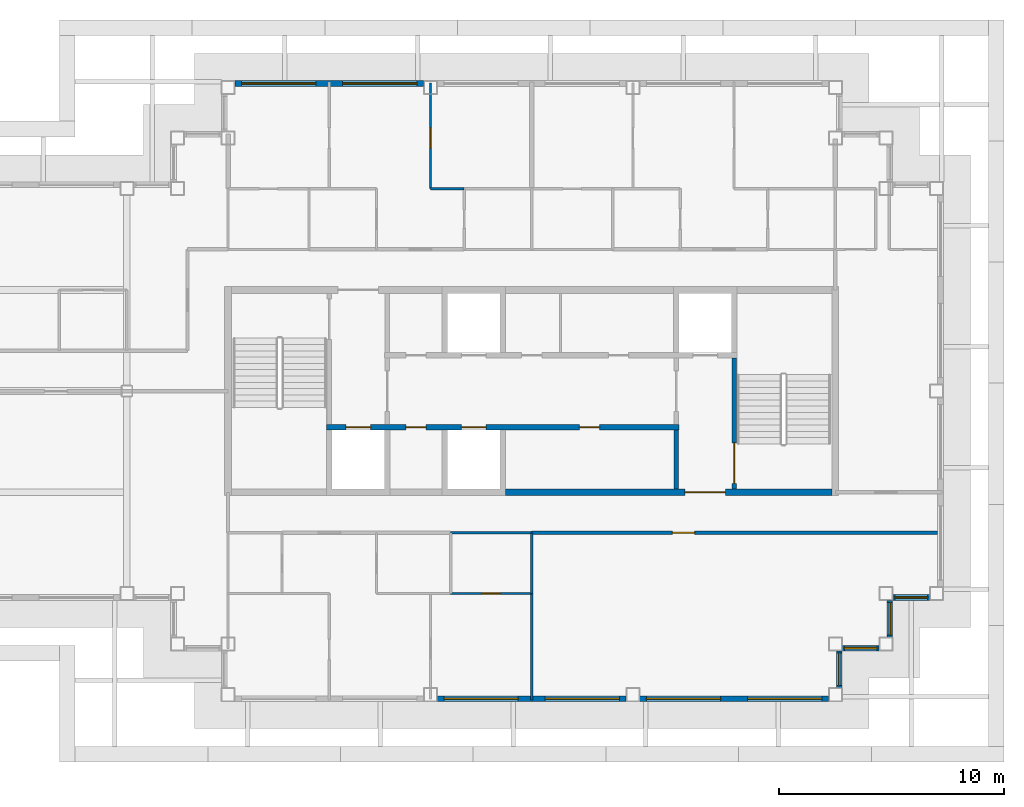
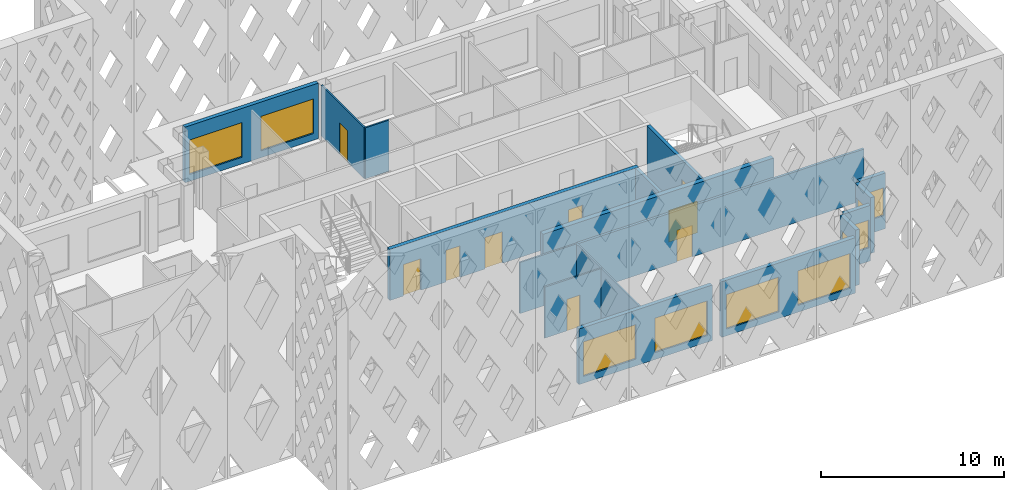
# One storey, part 4 of 15: 18 walls, 10 windows, 9 doors, 19 openings.
"""IFC4 building model written with IfcOpenShell, lengths in metres."""

from ifc_helpers import new_model, si_unit, direction, frame, frame_2d, origin, place, context, subcontext, project, spatial, rectangle, extrude, material, layer, layer_set, type_object, element, fill, save


model = new_model("IFC4")

# Units and contexts
model_context = context("Model", 3, precision=1e-05, world=origin(), true_north=direction((0.0, 1.0)))
body_context = subcontext(model_context, "Body", "Model", "MODEL_VIEW")
ifc_project = project(units=[si_unit("LENGTHUNIT", "METRE"), si_unit("AREAUNIT", "SQUARE_METRE"), si_unit("VOLUMEUNIT", "CUBIC_METRE"), si_unit("PLANEANGLEUNIT", "RADIAN"), si_unit("MASSUNIT", "GRAM", prefix="KILO")], contexts=[model_context])

# Site, building, storey
site_placement = place(None, origin())
site = spatial("IfcSite", under=ifc_project, at=site_placement, CompositionType="ELEMENT")
building_placement = place(site_placement, origin())
building = spatial("IfcBuilding", under=site, at=building_placement, Name="Caravel Reach Hotel and Residences", CompositionType="ELEMENT")
storey_placement = place(building_placement, frame((0.0, 0.0, 237.89990234375)))
storey = spatial("IfcBuildingStorey", under=building, at=storey_placement, Name="L60", CompositionType="ELEMENT", Elevation=237.89990234375)

# Wall, opening, door
ifc_material_1 = material(Name="Gypsum board on steel stud", Category="steel")
ifc_layer_1 = layer(ifc_material_1, 0.10009765625)
ifc_layer_set_1 = layer_set([ifc_layer_1], Name="Bathroom pod wall 100 mm")
wall_type_1 = type_object("IfcWallType", Name="Bathroom pod wall 100 mm", PredefinedType="PARTITIONING", material=ifc_layer_set_1)
wall_1_placement = place(storey_placement, frame((27.89990234375, 18.0, 0.0), z_axis=(0.0, 0.0, 1.0), x_axis=(1.0, 0.0, 0.0)))
wall_1 = element("IfcWall", 1, at=wall_1_placement, inside=storey, type_object=wall_type_1, Name="L60 wall w052", PredefinedType="PARTITIONING", context=body_context, shape_type="SweptSolid", body=[
    extrude(rectangle(XDim=3.60009765625, YDim=0.10009765625, at=frame_2d((1.800048828125, 0.0))), origin(), (0.0, 0.0, 1.0), 3.400146484375),
])
opening_1_placement = place(wall_1_placement, frame((1.39990234375, 0.0, 0.0)))
opening_1 = element("IfcOpeningElement", 2, at=opening_1_placement, cuts=wall_1, Name="Opening D60-035", PredefinedType="OPENING", context=body_context, shape_type="SweptSolid", body=[
    extrude(rectangle(XDim=0.800048828125, YDim=2.10009765625, at=frame_2d((0.39990234375, 1.050048828125))), frame((0.0, 0.06005859375, 0.0), z_axis=(0.0, -1.0, 0.0), x_axis=(1.0, 0.0, 0.0)), (0.0, 0.0, 1.0), 0.1201171875),
])
ifc_material_2 = material(Name="Timber and steel door leaf", Category="steel")
door_type_1 = type_object("IfcDoorType", Name="Bathroom door 800 x 2100", OperationType="SINGLE_SWING_LEFT", PredefinedType="DOOR", material=ifc_material_2)
door_1_placement = place(opening_1_placement, origin())
door_1 = element("IfcDoor", 3, at=door_1_placement, inside=storey, type_object=door_type_1, Name="door D60-035", OperationType="SINGLE_SWING_RIGHT", OverallHeight=2.10009765625, OverallWidth=0.800048828125, PredefinedType="DOOR", context=body_context, shape_type="SweptSolid", body=[
    extrude(rectangle(XDim=0.800048828125, YDim=2.10009765625, at=frame_2d((0.39990234375, 1.050048828125))), frame((0.0, 0.02490234375, 0.0), z_axis=(0.0, -1.0, 0.0), x_axis=(1.0, 0.0, 0.0)), (0.0, 0.0, 1.0), 0.050048828125),
])
fill(opening_1, door_1)

# Walls
wall_2_placement = place(storey_placement, frame((27.89990234375, 20.699951171875, 0.0), z_axis=(0.0, 0.0, 1.0), x_axis=(1.0, 0.0, 0.0)))
element("IfcWall", 4, at=wall_2_placement, inside=storey, type_object=wall_type_1, Name="L60 wall w054", PredefinedType="PARTITIONING", context=body_context, shape_type="SweptSolid", body=[
    extrude(rectangle(XDim=3.60009765625, YDim=0.10009765625, at=frame_2d((1.800048828125, 0.0))), origin(), (0.0, 0.0, 1.0), 3.400146484375),
])
wall_3_placement = place(storey_placement, frame((31.5, 18.0, 0.0), z_axis=(0.0, 0.0, 1.0), x_axis=(0.0, 1.0, 0.0)))
element("IfcWall", 5, at=wall_3_placement, inside=storey, type_object=wall_type_1, Name="L60 wall w073", PredefinedType="PARTITIONING", context=body_context, shape_type="SweptSolid", body=[
    extrude(rectangle(XDim=2.699951171875, YDim=0.10009765625, at=frame_2d((1.35009765625, 0.0))), origin(), (0.0, 0.0, 1.0), 3.400146484375),
])
ifc_material_3 = material(Name="Autoclaved aerated block wall")
ifc_layer_2 = layer(ifc_material_3, 0.199951171875)
ifc_layer_set_2 = layer_set([ifc_layer_2], Name="Compartment wall 200 mm EI 120")
wall_type_2 = type_object("IfcWallType", Name="Compartment wall 200 mm EI 120", PredefinedType="PARTITIONING", material=ifc_layer_set_2)
wall_4_placement = place(storey_placement, frame((37.928466796875, 22.64990234375, 0.0), z_axis=(0.0, 0.0, 1.0), x_axis=(0.0, 1.0, 0.0)))
element("IfcWall", 6, at=wall_4_placement, inside=storey, type_object=wall_type_2, Name="L60 store partition", PredefinedType="PARTITIONING", context=body_context, shape_type="SweptSolid", body=[
    extrude(rectangle(XDim=2.625, YDim=0.199951171875, at=frame_2d((1.3125, 0.0))), origin(), (0.0, 0.0, 1.0), 3.400146484375),
])

# Wall, opening, door
ifc_material_4 = material(Name="Concrete C60", Category="concrete")
ifc_layer_3 = layer(ifc_material_4, 0.300048828125)
ifc_layer_set_3 = layer_set([ifc_layer_3], Name="Core wall 300 mm EI 120")
wall_type_3 = type_object("IfcWallType", Name="Core wall 300 mm EI 120", PredefinedType="SHEAR", material=ifc_layer_set_3)
wall_5_placement = place(storey_placement, frame((30.33935546875, 22.5, 0.0), z_axis=(0.0, 0.0, 1.0), x_axis=(1.0, 0.0, 0.0)))
wall_5 = element("IfcWall", 7, at=wall_5_placement, inside=storey, type_object=wall_type_3, Name="L60 core wall S3", PredefinedType="SHEAR", context=body_context, shape_type="SweptSolid", body=[
    extrude(rectangle(XDim=14.5107421875, YDim=0.300048828125, at=frame_2d((7.25537109375, 0.0))), origin(), (0.0, 0.0, 1.0), 3.400146484375),
])
opening_2_placement = place(wall_5_placement, frame((7.97509765625, 0.0, 0.0)))
opening_2 = element("IfcOpeningElement", 8, at=opening_2_placement, cuts=wall_5, Name="Opening D60-015", PredefinedType="OPENING", context=body_context, shape_type="SweptSolid", body=[
    extrude(rectangle(XDim=1.800048828125, YDim=2.10009765625, at=frame_2d((0.89990234375, 1.050048828125))), frame((0.0, 0.159912109375, 0.0), z_axis=(0.0, -1.0, 0.0), x_axis=(1.0, 0.0, 0.0)), (0.0, 0.0, 1.0), 0.320068359375),
])
ifc_material_5 = material(Name="Steel fire door leaf", Category="steel")
door_type_2 = type_object("IfcDoorType", Name="Fire lobby door pair 1800 x 2100 EI 90", OperationType="DOUBLE_DOOR_SINGLE_SWING", PredefinedType="DOOR", material=ifc_material_5)
door_2_placement = place(opening_2_placement, origin())
door_2 = element("IfcDoor", 9, at=door_2_placement, inside=storey, type_object=door_type_2, Name="lobby S door pair to corridor", OperationType="DOUBLE_DOOR_SINGLE_SWING", OverallHeight=2.10009765625, OverallWidth=1.800048828125, PredefinedType="DOOR", context=body_context, shape_type="SweptSolid", body=[
    extrude(rectangle(XDim=1.800048828125, YDim=2.10009765625, at=frame_2d((0.89990234375, 1.050048828125))), frame((0.0, 0.02490234375, 0.0), z_axis=(0.0, -1.0, 0.0), x_axis=(1.0, 0.0, 0.0)), (0.0, 0.0, 1.0), 0.050048828125),
])
fill(opening_2, door_2)

ifc_material_6 = material(Name="Gypsum board on steel stud, fire-rated", Category="steel")
ifc_layer_4 = layer(ifc_material_6, 0.14990234375)
ifc_layer_set_4 = layer_set([ifc_layer_4], Name="Corridor wall 150 mm EI 60")
wall_type_4 = type_object("IfcWallType", Name="Corridor wall 150 mm EI 60", PredefinedType="PARTITIONING", material=ifc_layer_set_4)
wall_6_placement = place(storey_placement, frame((31.5, 20.699951171875, 0.0), z_axis=(0.0, 0.0, 1.0), x_axis=(1.0, 0.0, 0.0)))
wall_6 = element("IfcWall", 10, at=wall_6_placement, inside=storey, type_object=wall_type_4, Name="L60 wall w003", PredefinedType="PARTITIONING", context=body_context, shape_type="SweptSolid", body=[
    extrude(rectangle(XDim=18.050048828125, YDim=0.14990234375, at=frame_2d((9.02490234375, 0.0))), origin(), (0.0, 0.0, 1.0), 3.400146484375),
])
opening_3_placement = place(wall_6_placement, frame((6.25, 0.0, 0.0)))
opening_3 = element("IfcOpeningElement", 11, at=opening_3_placement, cuts=wall_6, Name="Opening D60-038", PredefinedType="OPENING", context=body_context, shape_type="SweptSolid", body=[
    extrude(rectangle(XDim=1.0, YDim=2.10009765625, at=frame_2d((0.5, 1.050048828125))), frame((0.0, 0.0849609375, 0.0), z_axis=(0.0, -1.0, 0.0), x_axis=(1.0, 0.0, 0.0)), (0.0, 0.0, 1.0), 0.169921875),
])
ifc_material_7 = material(Name="Steel fire door leaf", Category="steel")
door_type_3 = type_object("IfcDoorType", Name="Fire door 1000 x 2100 EI 60", OperationType="SINGLE_SWING_LEFT", PredefinedType="DOOR", material=ifc_material_7)
door_3_placement = place(opening_3_placement, origin())
door_3 = element("IfcDoor", 12, at=door_3_placement, inside=storey, type_object=door_type_3, Name="door D60-038", OperationType="SINGLE_SWING_LEFT", OverallHeight=2.10009765625, OverallWidth=1.0, PredefinedType="DOOR", context=body_context, shape_type="SweptSolid", body=[
    extrude(rectangle(XDim=1.0, YDim=2.10009765625, at=frame_2d((0.5, 1.050048828125))), frame((0.0, 0.02490234375, 0.0), z_axis=(0.0, -1.0, 0.0), x_axis=(1.0, 0.0, 0.0)), (0.0, 0.0, 1.0), 0.050048828125),
])
fill(opening_3, door_3)

# Wall, openings, windows
ifc_material_8 = material(Name="Insulated rainscreen wall, aluminium cladding", Category="aluminium")
ifc_layer_5 = layer(ifc_material_8, 0.25)
ifc_layer_set_5 = layer_set([ifc_layer_5], Name="EW1 Tower rainscreen wall")
wall_type_5 = type_object("IfcWallType", Name="EW1 Tower rainscreen wall", PredefinedType="SOLIDWALL", material=ifc_layer_set_5)
wall_7_placement = place(storey_placement, frame((27.300048828125, 13.324951171875, 0.0), z_axis=(0.0, 0.0, 1.0), x_axis=(1.0, 0.0, 0.0)))
wall_7 = element("IfcWall", 13, at=wall_7_placement, inside=storey, type_object=wall_type_5, Name="External wall L60 S4.2", PredefinedType="SOLIDWALL", context=body_context, shape_type="SweptSolid", body=[
    extrude(rectangle(XDim=8.39990234375, YDim=0.25, at=frame_2d((4.199951171875, 0.0))), origin(), (0.0, 0.0, 1.0), 3.7001953125),
])
opening_4_placement = place(wall_7_placement, frame((0.300048828125, 0.0, 0.449951171875)))
opening_4 = element("IfcOpeningElement", 14, at=opening_4_placement, cuts=wall_7, Name="Opening WN15", PredefinedType="OPENING", context=body_context, shape_type="SweptSolid", body=[
    extrude(rectangle(XDim=3.300048828125, YDim=2.300048828125, at=frame_2d((1.64990234375, 1.14990234375))), frame((0.0, 0.135009765625, 0.0), z_axis=(0.0, -1.0, 0.0), x_axis=(1.0, 0.0, 0.0)), (0.0, 0.0, 1.0), 0.27001953125),
])
opening_5_placement = place(wall_7_placement, frame((4.800048828125, 0.0, 0.449951171875)))
opening_5 = element("IfcOpeningElement", 15, at=opening_5_placement, cuts=wall_7, Name="Opening WN15", PredefinedType="OPENING", context=body_context, shape_type="SweptSolid", body=[
    extrude(rectangle(XDim=3.300048828125, YDim=2.300048828125, at=frame_2d((1.64990234375, 1.14990234375))), frame((0.0, 0.135009765625, 0.0), z_axis=(0.0, -1.0, 0.0), x_axis=(1.0, 0.0, 0.0)), (0.0, 0.0, 1.0), 0.27001953125),
])
ifc_material_9 = material(Name="Dark low-e glazing in black aluminium frame", Category="aluminium")
window_type_1 = type_object("IfcWindowType", Name="Residence living window 3300 x 2300", PartitioningType="SINGLE_PANEL", PredefinedType="WINDOW", material=ifc_material_9)
window_1_placement = place(opening_4_placement, origin())
window_1 = element("IfcWindow", 16, at=window_1_placement, inside=storey, type_object=window_type_1, Name="Window L60 S4.2.1", OverallHeight=2.300048828125, OverallWidth=3.300048828125, PartitioningType="SINGLE_PANEL", PredefinedType="WINDOW", context=body_context, shape_type="SweptSolid", body=[
    extrude(rectangle(XDim=3.300048828125, YDim=2.300048828125, at=frame_2d((1.64990234375, 1.14990234375))), frame((0.0, 0.030029296875, 0.0), z_axis=(0.0, -1.0, 0.0), x_axis=(1.0, 0.0, 0.0)), (0.0, 0.0, 1.0), 0.06005859375),
])
fill(opening_4, window_1)
window_2_placement = place(opening_5_placement, origin())
window_2 = element("IfcWindow", 17, at=window_2_placement, inside=storey, type_object=window_type_1, Name="Window L60 S4.2.2", OverallHeight=2.300048828125, OverallWidth=3.300048828125, PartitioningType="SINGLE_PANEL", PredefinedType="WINDOW", context=body_context, shape_type="SweptSolid", body=[
    extrude(rectangle(XDim=3.300048828125, YDim=2.300048828125, at=frame_2d((1.64990234375, 1.14990234375))), frame((0.0, 0.030029296875, 0.0), z_axis=(0.0, -1.0, 0.0), x_axis=(1.0, 0.0, 0.0)), (0.0, 0.0, 1.0), 0.06005859375),
])
fill(opening_5, window_2)

wall_8_placement = place(storey_placement, frame((36.300048828125, 13.324951171875, 0.0), z_axis=(0.0, 0.0, 1.0), x_axis=(1.0, 0.0, 0.0)))
wall_8 = element("IfcWall", 18, at=wall_8_placement, inside=storey, type_object=wall_type_5, Name="External wall L60 S4.3", PredefinedType="SOLIDWALL", context=body_context, shape_type="SweptSolid", body=[
    extrude(rectangle(XDim=8.39990234375, YDim=0.25, at=frame_2d((4.199951171875, 0.0))), origin(), (0.0, 0.0, 1.0), 3.7001953125),
])
opening_6_placement = place(wall_8_placement, frame((0.300048828125, 0.0, 0.449951171875)))
opening_6 = element("IfcOpeningElement", 19, at=opening_6_placement, cuts=wall_8, Name="Opening WN15", PredefinedType="OPENING", context=body_context, shape_type="SweptSolid", body=[
    extrude(rectangle(XDim=3.300048828125, YDim=2.300048828125, at=frame_2d((1.64990234375, 1.14990234375))), frame((0.0, 0.135009765625, 0.0), z_axis=(0.0, -1.0, 0.0), x_axis=(1.0, 0.0, 0.0)), (0.0, 0.0, 1.0), 0.27001953125),
])
opening_7_placement = place(wall_8_placement, frame((4.800048828125, 0.0, 0.449951171875)))
opening_7 = element("IfcOpeningElement", 20, at=opening_7_placement, cuts=wall_8, Name="Opening WN15", PredefinedType="OPENING", context=body_context, shape_type="SweptSolid", body=[
    extrude(rectangle(XDim=3.300048828125, YDim=2.300048828125, at=frame_2d((1.64990234375, 1.14990234375))), frame((0.0, 0.135009765625, 0.0), z_axis=(0.0, -1.0, 0.0), x_axis=(1.0, 0.0, 0.0)), (0.0, 0.0, 1.0), 0.27001953125),
])
window_3_placement = place(opening_6_placement, origin())
window_3 = element("IfcWindow", 21, at=window_3_placement, inside=storey, type_object=window_type_1, Name="Window L60 S4.3.1", OverallHeight=2.300048828125, OverallWidth=3.300048828125, PartitioningType="SINGLE_PANEL", PredefinedType="WINDOW", context=body_context, shape_type="SweptSolid", body=[
    extrude(rectangle(XDim=3.300048828125, YDim=2.300048828125, at=frame_2d((1.64990234375, 1.14990234375))), frame((0.0, 0.030029296875, 0.0), z_axis=(0.0, -1.0, 0.0), x_axis=(1.0, 0.0, 0.0)), (0.0, 0.0, 1.0), 0.06005859375),
])
fill(opening_6, window_3)
window_4_placement = place(opening_7_placement, origin())
window_4 = element("IfcWindow", 22, at=window_4_placement, inside=storey, type_object=window_type_1, Name="Window L60 S4.3.2", OverallHeight=2.300048828125, OverallWidth=3.300048828125, PartitioningType="SINGLE_PANEL", PredefinedType="WINDOW", context=body_context, shape_type="SweptSolid", body=[
    extrude(rectangle(XDim=3.300048828125, YDim=2.300048828125, at=frame_2d((1.64990234375, 1.14990234375))), frame((0.0, 0.030029296875, 0.0), z_axis=(0.0, -1.0, 0.0), x_axis=(1.0, 0.0, 0.0)), (0.0, 0.0, 1.0), 0.06005859375),
])
fill(opening_7, window_4)

# Wall, opening, window
wall_9_placement = place(storey_placement, frame((45.175048828125, 13.800048828125, 0.0), z_axis=(0.0, 0.0, 1.0), x_axis=(0.0, 1.0, 0.0)))
wall_9 = element("IfcWall", 23, at=wall_9_placement, inside=storey, type_object=wall_type_5, Name="External wall L60 E5.1", PredefinedType="SOLIDWALL", context=body_context, shape_type="SweptSolid", body=[
    extrude(rectangle(XDim=1.64990234375, YDim=0.25, at=frame_2d((0.824951171875, 0.0))), origin(), (0.0, 0.0, 1.0), 3.7001953125),
])
opening_8_placement = place(wall_9_placement, frame((0.10009765625, 0.0, 0.89990234375)))
opening_8 = element("IfcOpeningElement", 24, at=opening_8_placement, cuts=wall_9, Name="Opening WN25", PredefinedType="OPENING", context=body_context, shape_type="SweptSolid", body=[
    extrude(rectangle(XDim=1.449951171875, YDim=1.85009765625, at=frame_2d((0.72509765625, 0.925048828125))), frame((0.0, 0.135009765625, 0.0), z_axis=(0.0, -1.0, 0.0), x_axis=(1.0, 0.0, 0.0)), (0.0, 0.0, 1.0), 0.27001953125),
])
ifc_material_10 = material(Name="Dark low-e glazing in black aluminium frame", Category="aluminium")
window_type_2 = type_object("IfcWindowType", Name="Residence bedroom window 1450 x 1850", PartitioningType="SINGLE_PANEL", PredefinedType="WINDOW", material=ifc_material_10)
window_5_placement = place(opening_8_placement, origin())
window_5 = element("IfcWindow", 25, at=window_5_placement, inside=storey, type_object=window_type_2, Name="Window L60 E5.1.1", OverallHeight=1.85009765625, OverallWidth=1.449951171875, PartitioningType="SINGLE_PANEL", PredefinedType="WINDOW", context=body_context, shape_type="SweptSolid", body=[
    extrude(rectangle(XDim=1.449951171875, YDim=1.85009765625, at=frame_2d((0.72509765625, 0.925048828125))), frame((0.0, 0.030029296875, 0.0), z_axis=(0.0, -1.0, 0.0), x_axis=(1.0, 0.0, 0.0)), (0.0, 0.0, 1.0), 0.06005859375),
])
fill(opening_8, window_5)

wall_10_placement = place(storey_placement, frame((45.300048828125, 15.574951171875, 0.0), z_axis=(0.0, 0.0, 1.0), x_axis=(1.0, 0.0, 0.0)))
wall_10 = element("IfcWall", 26, at=wall_10_placement, inside=storey, type_object=wall_type_5, Name="External wall L60 S6.1", PredefinedType="SOLIDWALL", context=body_context, shape_type="SweptSolid", body=[
    extrude(rectangle(XDim=1.64990234375, YDim=0.25, at=frame_2d((0.824951171875, 0.0))), origin(), (0.0, 0.0, 1.0), 3.7001953125),
])
opening_9_placement = place(wall_10_placement, frame((0.10009765625, 0.0, 0.89990234375)))
opening_9 = element("IfcOpeningElement", 27, at=opening_9_placement, cuts=wall_10, Name="Opening WN25", PredefinedType="OPENING", context=body_context, shape_type="SweptSolid", body=[
    extrude(rectangle(XDim=1.449951171875, YDim=1.85009765625, at=frame_2d((0.72509765625, 0.925048828125))), frame((0.0, 0.135009765625, 0.0), z_axis=(0.0, -1.0, 0.0), x_axis=(1.0, 0.0, 0.0)), (0.0, 0.0, 1.0), 0.27001953125),
])
window_6_placement = place(opening_9_placement, origin())
window_6 = element("IfcWindow", 28, at=window_6_placement, inside=storey, type_object=window_type_2, Name="Window L60 S6.1.1", OverallHeight=1.85009765625, OverallWidth=1.449951171875, PartitioningType="SINGLE_PANEL", PredefinedType="WINDOW", context=body_context, shape_type="SweptSolid", body=[
    extrude(rectangle(XDim=1.449951171875, YDim=1.85009765625, at=frame_2d((0.72509765625, 0.925048828125))), frame((0.0, 0.030029296875, 0.0), z_axis=(0.0, -1.0, 0.0), x_axis=(1.0, 0.0, 0.0)), (0.0, 0.0, 1.0), 0.06005859375),
])
fill(opening_9, window_6)

wall_11_placement = place(storey_placement, frame((47.425048828125, 16.050048828125, 0.0), z_axis=(0.0, 0.0, 1.0), x_axis=(0.0, 1.0, 0.0)))
wall_11 = element("IfcWall", 29, at=wall_11_placement, inside=storey, type_object=wall_type_5, Name="External wall L60 E7.1", PredefinedType="SOLIDWALL", context=body_context, shape_type="SweptSolid", body=[
    extrude(rectangle(XDim=1.64990234375, YDim=0.25, at=frame_2d((0.824951171875, 0.0))), origin(), (0.0, 0.0, 1.0), 3.7001953125),
])
opening_10_placement = place(wall_11_placement, frame((0.10009765625, 0.0, 0.89990234375)))
opening_10 = element("IfcOpeningElement", 30, at=opening_10_placement, cuts=wall_11, Name="Opening WN25", PredefinedType="OPENING", context=body_context, shape_type="SweptSolid", body=[
    extrude(rectangle(XDim=1.449951171875, YDim=1.85009765625, at=frame_2d((0.72509765625, 0.925048828125))), frame((0.0, 0.135009765625, 0.0), z_axis=(0.0, -1.0, 0.0), x_axis=(1.0, 0.0, 0.0)), (0.0, 0.0, 1.0), 0.27001953125),
])
window_7_placement = place(opening_10_placement, origin())
window_7 = element("IfcWindow", 31, at=window_7_placement, inside=storey, type_object=window_type_2, Name="Window L60 E7.1.1", OverallHeight=1.85009765625, OverallWidth=1.449951171875, PartitioningType="SINGLE_PANEL", PredefinedType="WINDOW", context=body_context, shape_type="SweptSolid", body=[
    extrude(rectangle(XDim=1.449951171875, YDim=1.85009765625, at=frame_2d((0.72509765625, 0.925048828125))), frame((0.0, 0.030029296875, 0.0), z_axis=(0.0, -1.0, 0.0), x_axis=(1.0, 0.0, 0.0)), (0.0, 0.0, 1.0), 0.06005859375),
])
fill(opening_10, window_7)

wall_12_placement = place(storey_placement, frame((47.550048828125, 17.824951171875, 0.0), z_axis=(0.0, 0.0, 1.0), x_axis=(1.0, 0.0, 0.0)))
wall_12 = element("IfcWall", 32, at=wall_12_placement, inside=storey, type_object=wall_type_5, Name="External wall L60 S8.1", PredefinedType="SOLIDWALL", context=body_context, shape_type="SweptSolid", body=[
    extrude(rectangle(XDim=1.64990234375, YDim=0.25, at=frame_2d((0.824951171875, 0.0))), origin(), (0.0, 0.0, 1.0), 3.7001953125),
])
opening_11_placement = place(wall_12_placement, frame((0.10009765625, 0.0, 0.89990234375)))
opening_11 = element("IfcOpeningElement", 33, at=opening_11_placement, cuts=wall_12, Name="Opening WN25", PredefinedType="OPENING", context=body_context, shape_type="SweptSolid", body=[
    extrude(rectangle(XDim=1.449951171875, YDim=1.85009765625, at=frame_2d((0.72509765625, 0.925048828125))), frame((0.0, 0.135009765625, 0.0), z_axis=(0.0, -1.0, 0.0), x_axis=(1.0, 0.0, 0.0)), (0.0, 0.0, 1.0), 0.27001953125),
])
window_8_placement = place(opening_11_placement, origin())
window_8 = element("IfcWindow", 34, at=window_8_placement, inside=storey, type_object=window_type_2, Name="Window L60 S8.1.1", OverallHeight=1.85009765625, OverallWidth=1.449951171875, PartitioningType="SINGLE_PANEL", PredefinedType="WINDOW", context=body_context, shape_type="SweptSolid", body=[
    extrude(rectangle(XDim=1.449951171875, YDim=1.85009765625, at=frame_2d((0.72509765625, 0.925048828125))), frame((0.0, 0.030029296875, 0.0), z_axis=(0.0, -1.0, 0.0), x_axis=(1.0, 0.0, 0.0)), (0.0, 0.0, 1.0), 0.06005859375),
])
fill(opening_11, window_8)

# Wall, openings, windows
wall_13_placement = place(storey_placement, frame((26.699951171875, 40.675048828125, 0.0), z_axis=(0.0, 0.0, 1.0), x_axis=(-1.0, 0.0, 0.0)))
wall_13 = element("IfcWall", 35, at=wall_13_placement, inside=storey, type_object=wall_type_5, Name="External wall L60 N14.3", PredefinedType="SOLIDWALL", context=body_context, shape_type="SweptSolid", body=[
    extrude(rectangle(XDim=8.39990234375, YDim=0.25, at=frame_2d((4.199951171875, 0.0))), origin(), (0.0, 0.0, 1.0), 3.7001953125),
])
opening_12_placement = place(wall_13_placement, frame((0.300048828125, 0.0, 0.449951171875)))
opening_12 = element("IfcOpeningElement", 36, at=opening_12_placement, cuts=wall_13, Name="Opening WN15", PredefinedType="OPENING", context=body_context, shape_type="SweptSolid", body=[
    extrude(rectangle(XDim=3.300048828125, YDim=2.300048828125, at=frame_2d((1.64990234375, 1.14990234375))), frame((0.0, 0.135009765625, 0.0), z_axis=(0.0, -1.0, 0.0), x_axis=(1.0, 0.0, 0.0)), (0.0, 0.0, 1.0), 0.27001953125),
])
opening_13_placement = place(wall_13_placement, frame((4.800048828125, 0.0, 0.449951171875)))
opening_13 = element("IfcOpeningElement", 37, at=opening_13_placement, cuts=wall_13, Name="Opening WN15", PredefinedType="OPENING", context=body_context, shape_type="SweptSolid", body=[
    extrude(rectangle(XDim=3.300048828125, YDim=2.300048828125, at=frame_2d((1.64990234375, 1.14990234375))), frame((0.0, 0.135009765625, 0.0), z_axis=(0.0, -1.0, 0.0), x_axis=(1.0, 0.0, 0.0)), (0.0, 0.0, 1.0), 0.27001953125),
])
window_9_placement = place(opening_12_placement, origin())
window_9 = element("IfcWindow", 38, at=window_9_placement, inside=storey, type_object=window_type_1, Name="Window L60 N14.3.1", OverallHeight=2.300048828125, OverallWidth=3.300048828125, PartitioningType="SINGLE_PANEL", PredefinedType="WINDOW", context=body_context, shape_type="SweptSolid", body=[
    extrude(rectangle(XDim=3.300048828125, YDim=2.300048828125, at=frame_2d((1.64990234375, 1.14990234375))), frame((0.0, 0.030029296875, 0.0), z_axis=(0.0, -1.0, 0.0), x_axis=(1.0, 0.0, 0.0)), (0.0, 0.0, 1.0), 0.06005859375),
])
fill(opening_12, window_9)
window_10_placement = place(opening_13_placement, origin())
window_10 = element("IfcWindow", 39, at=window_10_placement, inside=storey, type_object=window_type_1, Name="Window L60 N14.3.2", OverallHeight=2.300048828125, OverallWidth=3.300048828125, PartitioningType="SINGLE_PANEL", PredefinedType="WINDOW", context=body_context, shape_type="SweptSolid", body=[
    extrude(rectangle(XDim=3.300048828125, YDim=2.300048828125, at=frame_2d((1.64990234375, 1.14990234375))), frame((0.0, 0.030029296875, 0.0), z_axis=(0.0, -1.0, 0.0), x_axis=(1.0, 0.0, 0.0)), (0.0, 0.0, 1.0), 0.06005859375),
])
fill(opening_13, window_10)

# Wall
ifc_material_11 = material(Name="Gypsum board on steel stud", Category="steel")
ifc_layer_6 = layer(ifc_material_11, 0.10009765625)
ifc_layer_set_6 = layer_set([ifc_layer_6], Name="Partition 100 mm")
wall_type_6 = type_object("IfcWallType", Name="Partition 100 mm", PredefinedType="PARTITIONING", material=ifc_layer_set_6)
wall_14_placement = place(storey_placement, frame((27.0, 36.0, 0.0), z_axis=(0.0, 0.0, 1.0), x_axis=(1.0, 0.0, 0.0)))
element("IfcWall", 40, at=wall_14_placement, inside=storey, type_object=wall_type_6, Name="L60 wall w025", PredefinedType="PARTITIONING", context=body_context, shape_type="SweptSolid", body=[
    extrude(rectangle(XDim=1.5, YDim=0.10009765625, at=frame_2d((0.75, 0.0))), origin(), (0.0, 0.0, 1.0), 3.400146484375),
])

# Wall, opening, door
wall_15_placement = place(storey_placement, frame((27.0, 36.0, 0.0), z_axis=(0.0, 0.0, 1.0), x_axis=(0.0, 1.0, 0.0)))
wall_15 = element("IfcWall", 41, at=wall_15_placement, inside=storey, type_object=wall_type_6, Name="L60 wall w039", PredefinedType="PARTITIONING", context=body_context, shape_type="SweptSolid", body=[
    extrude(rectangle(XDim=4.68994140625, YDim=0.10009765625, at=frame_2d((2.344970703125, 0.0))), origin(), (0.0, 0.0, 1.0), 3.400146484375),
])
opening_14_placement = place(wall_15_placement, frame((1.800048828125, 0.0, 0.0)))
opening_14 = element("IfcOpeningElement", 42, at=opening_14_placement, cuts=wall_15, Name="Opening D60-021", PredefinedType="OPENING", context=body_context, shape_type="SweptSolid", body=[
    extrude(rectangle(XDim=0.89990234375, YDim=2.10009765625, at=frame_2d((0.449951171875, 1.050048828125))), frame((0.0, 0.06005859375, 0.0), z_axis=(0.0, -1.0, 0.0), x_axis=(1.0, 0.0, 0.0)), (0.0, 0.0, 1.0), 0.1201171875),
])
ifc_material_12 = material(Name="Timber and steel door leaf", Category="steel")
door_type_4 = type_object("IfcDoorType", Name="Door 900 x 2100 timber", OperationType="SINGLE_SWING_LEFT", PredefinedType="DOOR", material=ifc_material_12)
door_4_placement = place(opening_14_placement, origin())
door_4 = element("IfcDoor", 43, at=door_4_placement, inside=storey, type_object=door_type_4, Name="door D60-021", OperationType="SINGLE_SWING_LEFT", OverallHeight=2.10009765625, OverallWidth=0.89990234375, PredefinedType="DOOR", context=body_context, shape_type="SweptSolid", body=[
    extrude(rectangle(XDim=0.89990234375, YDim=2.10009765625, at=frame_2d((0.449951171875, 1.050048828125))), frame((0.0, 0.02490234375, 0.0), z_axis=(0.0, -1.0, 0.0), x_axis=(1.0, 0.0, 0.0)), (0.0, 0.0, 1.0), 0.050048828125),
])
fill(opening_14, door_4)

# Wall
wall_16_placement = place(storey_placement, frame((31.5, 13.260009765625, 0.0), z_axis=(0.0, 0.0, 1.0), x_axis=(0.0, 1.0, 0.0)))
element("IfcWall", 44, at=wall_16_placement, inside=storey, type_object=wall_type_6, Name="L60 wall w041", PredefinedType="PARTITIONING", context=body_context, shape_type="SweptSolid", body=[
    extrude(rectangle(XDim=4.739990234375, YDim=0.10009765625, at=frame_2d((2.3701171875, 0.0))), origin(), (0.0, 0.0, 1.0), 3.400146484375),
])

# Wall, openings, doors
ifc_material_13 = material(Name="Concrete C60", Category="concrete")
ifc_layer_7 = layer(ifc_material_13, 0.25)
ifc_layer_set_7 = layer_set([ifc_layer_7], Name="Shaft wall 250 mm EI 120")
wall_type_7 = type_object("IfcWallType", Name="Shaft wall 250 mm EI 120", PredefinedType="SHEAR", material=ifc_layer_set_7)
wall_17_placement = place(storey_placement, frame((22.375, 25.39990234375, 0.0), z_axis=(0.0, 0.0, 1.0), x_axis=(1.0, 0.0, 0.0)))
wall_17 = element("IfcWall", 45, at=wall_17_placement, inside=storey, type_object=wall_type_7, Name="L60 lobby wall S1", PredefinedType="SHEAR", context=body_context, shape_type="SweptSolid", body=[
    extrude(rectangle(XDim=15.678466796875, YDim=0.25, at=frame_2d((7.83935546875, 0.0))), origin(), (0.0, 0.0, 1.0), 3.400146484375),
])
opening_15_placement = place(wall_17_placement, frame((6.003662109375, 0.0, 0.0)))
opening_15 = element("IfcOpeningElement", 46, at=opening_15_placement, cuts=wall_17, Name="Opening D60-001", PredefinedType="OPENING", context=body_context, shape_type="SweptSolid", body=[
    extrude(rectangle(XDim=1.10009765625, YDim=2.10009765625, at=frame_2d((0.550048828125, 1.050048828125))), frame((0.0, 0.135009765625, 0.0), z_axis=(0.0, -1.0, 0.0), x_axis=(1.0, 0.0, 0.0)), (0.0, 0.0, 1.0), 0.27001953125),
])
opening_16_placement = place(wall_17_placement, frame((0.860595703125, 0.0, 0.0)))
opening_16 = element("IfcOpeningElement", 47, at=opening_16_placement, cuts=wall_17, Name="Opening D60-003", PredefinedType="OPENING", context=body_context, shape_type="SweptSolid", body=[
    extrude(rectangle(XDim=1.10009765625, YDim=2.10009765625, at=frame_2d((0.550048828125, 1.050048828125))), frame((0.0, 0.135009765625, 0.0), z_axis=(0.0, -1.0, 0.0), x_axis=(1.0, 0.0, 0.0)), (0.0, 0.0, 1.0), 0.27001953125),
])
opening_17_placement = place(wall_17_placement, frame((3.531982421875, 0.0, 0.0)))
opening_17 = element("IfcOpeningElement", 48, at=opening_17_placement, cuts=wall_17, Name="Opening D60-005", PredefinedType="OPENING", context=body_context, shape_type="SweptSolid", body=[
    extrude(rectangle(XDim=0.89990234375, YDim=2.10009765625, at=frame_2d((0.449951171875, 1.050048828125))), frame((0.0, 0.135009765625, 0.0), z_axis=(0.0, -1.0, 0.0), x_axis=(1.0, 0.0, 0.0)), (0.0, 0.0, 1.0), 0.27001953125),
])
opening_18_placement = place(wall_17_placement, frame((11.246337890625, 0.0, 0.0)))
opening_18 = element("IfcOpeningElement", 49, at=opening_18_placement, cuts=wall_17, Name="Opening D60-006", PredefinedType="OPENING", context=body_context, shape_type="SweptSolid", body=[
    extrude(rectangle(XDim=0.89990234375, YDim=2.10009765625, at=frame_2d((0.449951171875, 1.050048828125))), frame((0.0, 0.135009765625, 0.0), z_axis=(0.0, -1.0, 0.0), x_axis=(1.0, 0.0, 0.0)), (0.0, 0.0, 1.0), 0.27001953125),
])
ifc_material_14 = material(Name="Stainless steel landing door", Category="steel")
door_type_5 = type_object("IfcDoorType", Name="Landing door LD 1100 x 2100 sliding", OperationType="DOUBLE_DOOR_SLIDING", PredefinedType="DOOR", material=ifc_material_14)
door_5_placement = place(opening_15_placement, origin())
door_5 = element("IfcDoor", 50, at=door_5_placement, inside=storey, type_object=door_type_5, Name="HP1 landing door", OperationType="DOUBLE_DOOR_SLIDING", OverallHeight=2.10009765625, OverallWidth=1.10009765625, PredefinedType="DOOR", context=body_context, shape_type="SweptSolid", body=[
    extrude(rectangle(XDim=1.10009765625, YDim=2.10009765625, at=frame_2d((0.550048828125, 1.050048828125))), frame((0.0, 0.02490234375, 0.0), z_axis=(0.0, -1.0, 0.0), x_axis=(1.0, 0.0, 0.0)), (0.0, 0.0, 1.0), 0.050048828125),
])
fill(opening_15, door_5)
door_6_placement = place(opening_16_placement, origin())
door_6 = element("IfcDoor", 51, at=door_6_placement, inside=storey, type_object=door_type_5, Name="FL1 landing door", OperationType="DOUBLE_DOOR_SLIDING", OverallHeight=2.10009765625, OverallWidth=1.10009765625, PredefinedType="DOOR", context=body_context, shape_type="SweptSolid", body=[
    extrude(rectangle(XDim=1.10009765625, YDim=2.10009765625, at=frame_2d((0.550048828125, 1.050048828125))), frame((0.0, 0.02490234375, 0.0), z_axis=(0.0, -1.0, 0.0), x_axis=(1.0, 0.0, 0.0)), (0.0, 0.0, 1.0), 0.050048828125),
])
fill(opening_16, door_6)
ifc_material_15 = material(Name="Steel fire door leaf", Category="steel")
door_type_6 = type_object("IfcDoorType", Name="Riser door 900 x 2100 EI 60", OperationType="SINGLE_SWING_LEFT", PredefinedType="DOOR", material=ifc_material_15)
door_7_placement = place(opening_17_placement, origin())
door_7 = element("IfcDoor", 52, at=door_7_placement, inside=storey, type_object=door_type_6, Name="Electrical riser room door", OperationType="SINGLE_SWING_LEFT", OverallHeight=2.10009765625, OverallWidth=0.89990234375, PredefinedType="DOOR", context=body_context, shape_type="SweptSolid", body=[
    extrude(rectangle(XDim=0.89990234375, YDim=2.10009765625, at=frame_2d((0.449951171875, 1.050048828125))), frame((0.0, 0.02490234375, 0.0), z_axis=(0.0, -1.0, 0.0), x_axis=(1.0, 0.0, 0.0)), (0.0, 0.0, 1.0), 0.050048828125),
])
fill(opening_17, door_7)
door_8_placement = place(opening_18_placement, origin())
door_8 = element("IfcDoor", 53, at=door_8_placement, inside=storey, type_object=door_type_6, Name="Comms room door", OperationType="SINGLE_SWING_LEFT", OverallHeight=2.10009765625, OverallWidth=0.89990234375, PredefinedType="DOOR", context=body_context, shape_type="SweptSolid", body=[
    extrude(rectangle(XDim=0.89990234375, YDim=2.10009765625, at=frame_2d((0.449951171875, 1.050048828125))), frame((0.0, 0.02490234375, 0.0), z_axis=(0.0, -1.0, 0.0), x_axis=(1.0, 0.0, 0.0)), (0.0, 0.0, 1.0), 0.050048828125),
])
fill(opening_18, door_8)

# Wall, opening, door
ifc_material_16 = material(Name="Concrete C60", Category="concrete")
ifc_layer_8 = layer(ifc_material_16, 0.199951171875)
ifc_layer_set_8 = layer_set([ifc_layer_8], Name="Stair enclosure wall 200 mm EI 120")
wall_type_8 = type_object("IfcWallType", Name="Stair enclosure wall 200 mm EI 120", PredefinedType="SHEAR", material=ifc_layer_set_8)
wall_18_placement = place(storey_placement, frame((40.5, 22.64990234375, 0.0), z_axis=(0.0, 0.0, 1.0), x_axis=(0.0, 1.0, 0.0)))
wall_18 = element("IfcWall", 54, at=wall_18_placement, inside=storey, type_object=wall_type_8, Name="L60 stair B wall", PredefinedType="SHEAR", context=body_context, shape_type="SweptSolid", body=[
    extrude(rectangle(XDim=5.8251953125, YDim=0.199951171875, at=frame_2d((2.91259765625, 0.0))), origin(), (0.0, 0.0, 1.0), 3.400146484375),
])
opening_19_placement = place(wall_18_placement, frame((0.25, 0.0, 0.0)))
opening_19 = element("IfcOpeningElement", 55, at=opening_19_placement, cuts=wall_18, Name="Opening D60-011", PredefinedType="OPENING", context=body_context, shape_type="SweptSolid", body=[
    extrude(rectangle(XDim=1.800048828125, YDim=2.10009765625, at=frame_2d((0.89990234375, 1.050048828125))), frame((0.0, 0.10986328125, 0.0), z_axis=(0.0, -1.0, 0.0), x_axis=(1.0, 0.0, 0.0)), (0.0, 0.0, 1.0), 0.219970703125),
])
ifc_material_17 = material(Name="Steel fire door leaf", Category="steel")
door_type_7 = type_object("IfcDoorType", Name="Stair door pair 1800 x 2100 EI 90", OperationType="DOUBLE_DOOR_SINGLE_SWING", PredefinedType="DOOR", material=ifc_material_17)
door_9_placement = place(opening_19_placement, origin())
door_9 = element("IfcDoor", 56, at=door_9_placement, inside=storey, type_object=door_type_7, Name="stair B door pair", OperationType="DOUBLE_DOOR_SINGLE_SWING", OverallHeight=2.10009765625, OverallWidth=1.800048828125, PredefinedType="DOOR", context=body_context, shape_type="SweptSolid", body=[
    extrude(rectangle(XDim=1.800048828125, YDim=2.10009765625, at=frame_2d((0.89990234375, 1.050048828125))), frame((0.0, 0.02490234375, 0.0), z_axis=(0.0, -1.0, 0.0), x_axis=(1.0, 0.0, 0.0)), (0.0, 0.0, 1.0), 0.050048828125),
])
fill(opening_19, door_9)

save(model, "model.ifc")
